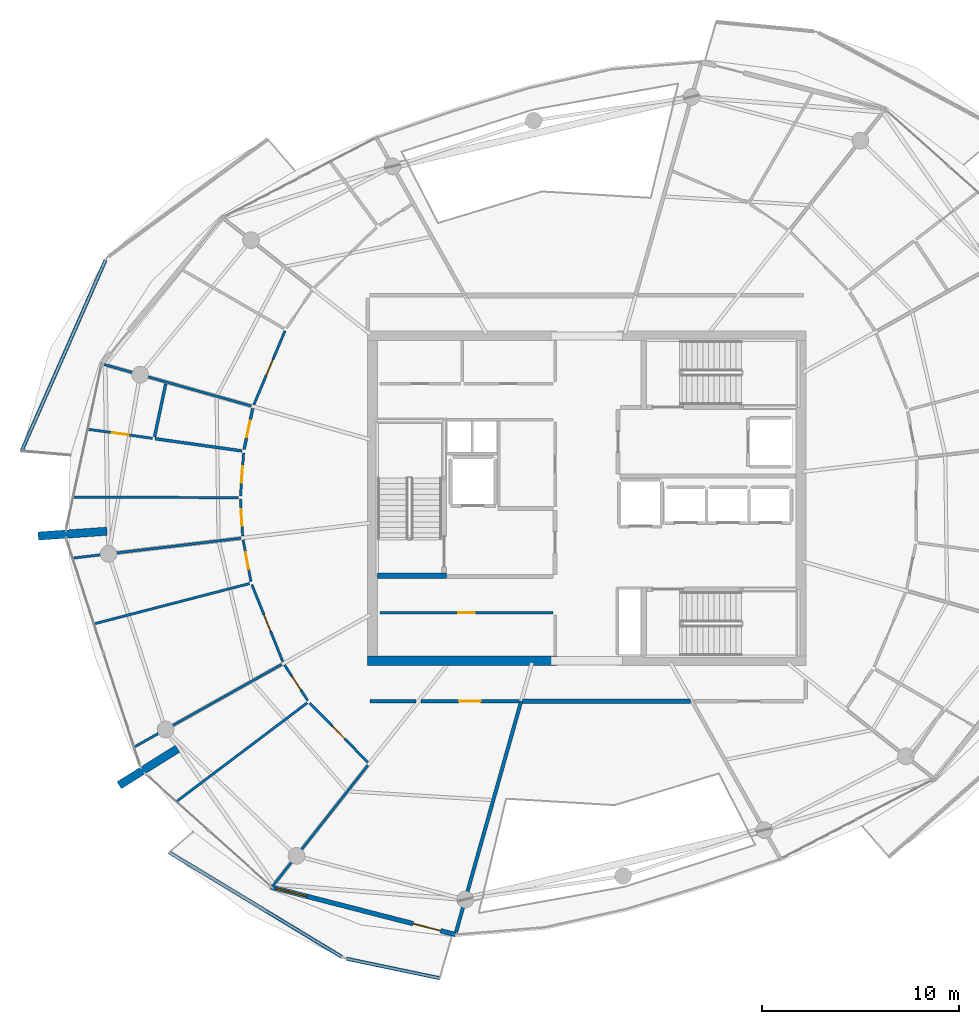
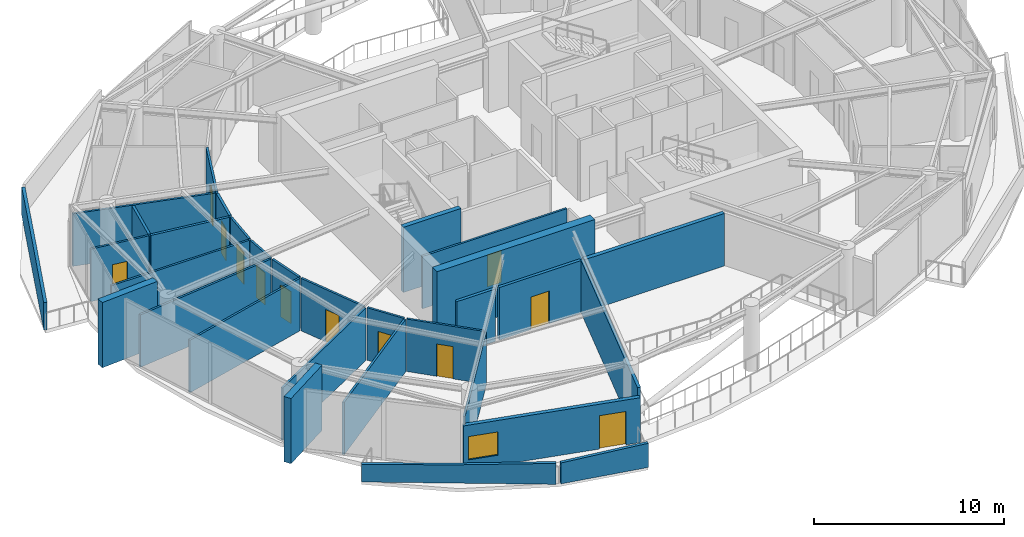
# One storey, part 13 of 22: 31 walls, 12 doors, 1 window, 13 openings.
"""IFC4 building model written with IfcOpenShell, lengths in metres."""

from ifc_helpers import new_model, si_unit, direction, frame, frame_2d, origin, place, context, subcontext, project, spatial, polyline, rectangle, outline, extrude, material, layer, layer_set, type_object, element, fill, save


model = new_model("IFC4")

# Units and contexts
model_context = context("Model", 3, precision=1e-05, world=origin(), true_north=direction((0.0, 1.0)))
body_context = subcontext(model_context, "Body", "Model", "MODEL_VIEW")
ifc_project = project(units=[si_unit("LENGTHUNIT", "METRE"), si_unit("AREAUNIT", "SQUARE_METRE"), si_unit("VOLUMEUNIT", "CUBIC_METRE"), si_unit("PLANEANGLEUNIT", "RADIAN"), si_unit("MASSUNIT", "GRAM", prefix="KILO")], contexts=[model_context])

# Site, building, storey
site_placement = place(None, origin())
site = spatial("IfcSite", under=ifc_project, at=site_placement, CompositionType="ELEMENT")
building_placement = place(site_placement, origin())
building = spatial("IfcBuilding", under=site, at=building_placement, Name="Kazma Halo Residences", CompositionType="ELEMENT")
storey_placement = place(building_placement, frame((0.0, 0.0, 326.300048828125)))
storey = spatial("IfcBuildingStorey", under=building, at=storey_placement, Name="L82", CompositionType="ELEMENT", Elevation=326.300048828125)

# Walls
ifc_material_1 = material(Name="White Concrete C50/60 Balustrade", Category="concrete")
ifc_layer_1 = layer(ifc_material_1, 0.179931640625)
ifc_layer_set_1 = layer_set([ifc_layer_1], Name="White Concrete C50/60 Balustrade")
wall_type_1 = type_object("IfcWallType", Name="WL-BAL-WAVE-180", PredefinedType="PARAPET", material=ifc_layer_set_1)
wall_1_placement = place(storey_placement, frame((23.989501953125, 54.099609375, 0.0), z_axis=(0.0, 0.0, 1.0), x_axis=(-0.402276040411, -0.915518425435, 0.0)))
element("IfcWall", 1, at=wall_1_placement, inside=storey, type_object=wall_type_1, Name="L82 white wave balustrade wall NW.2", PredefinedType="PARAPET", context=body_context, shape_type="SweptSolid", body=[
    extrude(outline(polyline([(0.0, 0.0), (10.595947265625, 0.0), (10.595703125, 1.755859375), (5.2978515625, 1.85302734375), (0.0, 1.83203125), (0.0, 0.0)])), frame((0.0, 0.08984375, 0.0), z_axis=(0.0, -1.0, 0.0), x_axis=(1.0, 0.0, 0.0)), (0.0, 0.0, 1.0), 0.179931640625),
])
wall_2_placement = place(storey_placement, frame((27.213134765625, 24.025634765625, 0.0), z_axis=(0.0, 0.0, 1.0), x_axis=(0.855326815189, -0.518088833327, 0.0)))
element("IfcWall", 2, at=wall_2_placement, inside=storey, type_object=wall_type_1, Name="L82 white wave balustrade wall SW.1", PredefinedType="PARAPET", context=body_context, shape_type="SweptSolid", body=[
    extrude(outline(polyline([(0.0, 0.0), (10.26904296875, 0.0), (10.26904296875, 1.347900390625), (5.134521484375, 1.181884765625), (0.0, 1.119873046875), (0.0, 0.0)])), frame((0.0, 0.08984375, 0.0), z_axis=(0.0, -1.0, 0.0), x_axis=(1.0, 0.0, 0.0)), (0.0, 0.0, 1.0), 0.179931640625),
])
wall_3_placement = place(storey_placement, frame((36.216552734375, 18.61865234375, 0.0), z_axis=(0.0, 0.0, 1.0), x_axis=(0.978880651662, -0.204432555632, 0.0)))
element("IfcWall", 3, at=wall_3_placement, inside=storey, type_object=wall_type_1, Name="L82 white wave balustrade wall SW.2", PredefinedType="PARAPET", context=body_context, shape_type="SweptSolid", body=[
    extrude(outline(polyline([(0.0, 0.0), (4.85107421875, 0.0), (4.85107421875, 1.555908203125), (0.0, 1.347900390625), (0.0, 0.0)])), frame((0.0, 0.08984375, 0.0), z_axis=(0.0, -1.0, 0.0), x_axis=(1.0, 0.0, 0.0)), (0.0, 0.0, 1.0), 0.179931640625),
])
ifc_material_2 = material(Name="Pale Concrete C60/75", Category="concrete")
ifc_layer_2 = layer(ifc_material_2, 0.419921875)
ifc_layer_set_2 = layer_set([ifc_layer_2], Name="Pale Concrete C60/75")
wall_type_2 = type_object("IfcWallType", Name="WL-BLADE-420", PredefinedType="SOLIDWALL", material=ifc_layer_set_2)
for number, where, z_axis, x_axis, name in (
    (4, (24.05908203125, 40.325927734375, 0.0), (0.0, 0.0, 1.0), (-0.997564163539, -0.069754853754, 0.0), "L82 pale concrete structural blade fin wall BW-02"),
    (5, (27.6474609375, 29.2822265625, 0.0), (0.0, 0.0, 1.0), (-0.848053161125, -0.529911158502, 0.0), "L82 pale concrete structural blade fin wall BW-03"),
):
    element("IfcWall", number, at=place(storey_placement, frame(where, z_axis=z_axis, x_axis=x_axis)), inside=storey, type_object=wall_type_2, Name=name, PredefinedType="SOLIDWALL", context=body_context, shape_type="SweptSolid", body=[
        extrude(rectangle(XDim=3.5, YDim=0.419921875, at=frame_2d((1.75, 0.0))), origin(), (0.0, 0.0, 1.0), 4.199951171875),
    ])
ifc_material_3 = material(Name="Concrete C60/75", Category="concrete")
ifc_layer_3 = layer(ifc_material_3, 0.5)
ifc_layer_set_3 = layer_set([ifc_layer_3], Name="Concrete C60/75")
wall_type_3 = type_object("IfcWallType", Name="WL-CORE-500", PredefinedType="SHEAR", material=ifc_layer_set_3)
wall_4_placement = place(storey_placement, frame((37.300048828125, 33.75, 0.0), z_axis=(0.0, 0.0, 1.0), x_axis=(1.0, 0.0, 0.0)))
element("IfcWall", 6, at=wall_4_placement, inside=storey, type_object=wall_type_3, Name="L82 central core shear wall SW", PredefinedType="SHEAR", context=body_context, shape_type="SweptSolid", body=[
    extrude(rectangle(XDim=9.599853515625, YDim=0.5, at=frame_2d((4.7998046875, 0.0))), origin(), (0.0, 0.0, 1.0), 4.199951171875),
])
ifc_layer_4 = layer(ifc_material_3, 0.280029296875)
ifc_layer_set_4 = layer_set([ifc_layer_4], Name="Concrete C60/75")
wall_type_4 = type_object("IfcWallType", Name="WL-CORE-ST-280", PredefinedType="SHEAR", material=ifc_layer_set_4)
wall_5_placement = place(storey_placement, frame((37.800048828125, 38.06005859375, 0.0), z_axis=(0.0, 0.0, 1.0), x_axis=(1.0, 0.0, 0.0)))
element("IfcWall", 7, at=wall_5_placement, inside=storey, type_object=wall_type_4, Name="L82 stairwell bearing wall ST01-S", PredefinedType="SHEAR", context=body_context, shape_type="SweptSolid", body=[
    extrude(rectangle(XDim=3.5, YDim=0.280029296875, at=frame_2d((1.75, 0.0))), origin(), (0.0, 0.0, 1.0), 4.199951171875),
])
ifc_material_4 = material(Name="Acoustic Twin-Stud Gypsum")
ifc_layer_5 = layer(ifc_material_4, 0.179931640625)
ifc_layer_set_5 = layer_set([ifc_layer_5], Name="Acoustic Twin-Stud Gypsum")
wall_type_5 = type_object("IfcWallType", Name="WL-DEM-180", PredefinedType="PARTITIONING", material=ifc_layer_set_5)
wall_6_placement = place(storey_placement, frame((45.09521484375, 31.699951171875, 0.0), z_axis=(0.0, 0.0, 1.0), x_axis=(-0.271453030279, -0.962451688321, 0.0)))
element("IfcWall", 8, at=wall_6_placement, inside=storey, type_object=wall_type_5, Name="L82 apartment demising radial wall 10", PredefinedType="PARTITIONING", context=body_context, shape_type="SweptSolid", body=[
    extrude(rectangle(XDim=12.191162109375, YDim=0.179931640625, at=frame_2d((6.095703125, 0.0))), origin(), (0.0, 0.0, 1.0), 3.3798828125),
])

# Wall, opening, door
wall_7_placement = place(storey_placement, frame((40.0, 31.699951171875, 0.0), z_axis=(0.0, 0.0, 1.0), x_axis=(1.0, 0.0, 0.0)))
wall_7 = element("IfcWall", 9, at=wall_7_placement, inside=storey, type_object=wall_type_5, Name="L82 Penthouse 1 entrance corridor wall", PredefinedType="PARTITIONING", context=body_context, shape_type="SweptSolid", body=[
    extrude(rectangle(XDim=4.97509765625, YDim=0.179931640625, at=frame_2d((2.487548828125, 0.0))), origin(), (0.0, 0.0, 1.0), 3.3798828125),
])
opening_1_placement = place(wall_7_placement, frame((1.9375, 0.0, 0.0)))
opening_1 = element("IfcOpeningElement", 10, at=opening_1_placement, cuts=wall_7, Name="Opening DA-1100", PredefinedType="OPENING", context=body_context, shape_type="SweptSolid", body=[
    extrude(rectangle(XDim=1.10009765625, YDim=2.10009765625, at=frame_2d((0.550048828125, 1.050048828125))), frame((0.0, 0.099853515625, 0.0), z_axis=(0.0, -1.0, 0.0), x_axis=(1.0, 0.0, 0.0)), (0.0, 0.0, 1.0), 0.199951171875),
])
ifc_material_5 = material(Name="Acoustic Walnut Fire Leaf")
door_type_1 = type_object("IfcDoorType", Name="DR-FD60-1100", OperationType="NOTDEFINED", PredefinedType="DOOR", material=ifc_material_5)
door_1_placement = place(opening_1_placement, origin())
door_1 = element("IfcDoor", 11, at=door_1_placement, inside=storey, type_object=door_type_1, Name="L82 Penthouse 1 entrance fire door", OperationType="SINGLE_SWING_RIGHT", OverallHeight=2.10009765625, OverallWidth=1.10009765625, PredefinedType="DOOR", context=body_context, shape_type="SweptSolid", body=[
    extrude(rectangle(XDim=1.10009765625, YDim=2.10009765625, at=frame_2d((0.550048828125, 1.050048828125))), frame((0.0, 0.02490234375, 0.0), z_axis=(0.0, -1.0, 0.0), x_axis=(1.0, 0.0, 0.0)), (0.0, 0.0, 1.0), 0.050048828125),
])
fill(opening_1, door_1)

# Wall
wall_8_placement = place(storey_placement, frame((37.419921875, 31.699951171875, 0.0), z_axis=(0.0, 0.0, 1.0), x_axis=(1.0, 0.0, 0.0)))
element("IfcWall", 12, at=wall_8_placement, inside=storey, type_object=wall_type_5, Name="L82 Penthouse 1 inner wall 8", PredefinedType="PARTITIONING", context=body_context, shape_type="SweptSolid", body=[
    extrude(rectangle(XDim=2.340087890625, YDim=0.179931640625, at=frame_2d((1.169921875, 0.0))), origin(), (0.0, 0.0, 1.0), 3.3798828125),
])

# Wall, openings, door, window
ifc_material_6 = material(Name="Insulated Pale-Metal Composite Wall")
ifc_layer_6 = layer(ifc_material_6, 0.239990234375)
ifc_layer_set_6 = layer_set([ifc_layer_6], Name="Insulated Pale-Metal Composite Wall")
wall_type_6 = type_object("IfcWallType", Name="WL-EXT-HOST-240", PredefinedType="SOLIDWALL", material=ifc_layer_set_6)
wall_9_placement = place(storey_placement, frame((32.380126953125, 22.26025390625, 0.0), z_axis=(0.0, 0.0, 1.0), x_axis=(0.968389062354, -0.249444630957, 0.0)))
wall_9 = element("IfcWall", 13, at=wall_9_placement, inside=storey, type_object=wall_type_6, Name="L82 exterior terrace-access wall B10", PredefinedType="SOLIDWALL", context=body_context, shape_type="SweptSolid", body=[
    extrude(rectangle(XDim=9.677734375, YDim=0.239990234375, at=frame_2d((4.8388671875, 0.0))), origin(), (0.0, 0.0, 1.0), 2.889892578125),
])
opening_2_placement = place(wall_9_placement, frame((7.457763671875, 0.0, 0.0)))
opening_2 = element("IfcOpeningElement", 14, at=opening_2_placement, cuts=wall_9, Name="Opening DTR-1600", PredefinedType="OPENING", context=body_context, shape_type="SweptSolid", body=[
    extrude(rectangle(XDim=1.449951171875, YDim=2.14990234375, at=frame_2d((0.72509765625, 1.074951171875))), frame((0.0, 0.1298828125, 0.0), z_axis=(0.0, -1.0, 0.0), x_axis=(1.0, 0.0, 0.0)), (0.0, 0.0, 1.0), 0.260009765625),
])
opening_3_placement = place(wall_9_placement, frame((0.280029296875, 0.0, 0.64990234375)))
opening_3 = element("IfcOpeningElement", 15, at=opening_3_placement, cuts=wall_9, Name="Opening W-1800", PredefinedType="OPENING", context=body_context, shape_type="SweptSolid", body=[
    extrude(rectangle(XDim=1.60009765625, YDim=1.5, at=frame_2d((0.800048828125, 0.75))), frame((0.0, 0.1298828125, 0.0), z_axis=(0.0, -1.0, 0.0), x_axis=(1.0, 0.0, 0.0)), (0.0, 0.0, 1.0), 0.260009765625),
])
ifc_material_7 = material(Name="Aluminium AW-6063 T6 Double-Glazed Terrace Door", Category="aluminium")
door_type_2 = type_object("IfcDoorType", Name="DR-EXT-TERR-1600", OperationType="NOTDEFINED", PredefinedType="DOOR", material=ifc_material_7)
door_2_placement = place(opening_2_placement, origin())
door_2 = element("IfcDoor", 16, at=door_2_placement, inside=storey, type_object=door_type_2, Name="L82 B10 balcony terrace door", OperationType="DOUBLE_DOOR_SLIDING", OverallHeight=2.14990234375, OverallWidth=1.449951171875, PredefinedType="DOOR", context=body_context, shape_type="SweptSolid", body=[
    extrude(rectangle(XDim=1.449951171875, YDim=2.14990234375, at=frame_2d((0.72509765625, 1.074951171875))), frame((0.0, 0.02490234375, 0.0), z_axis=(0.0, -1.0, 0.0), x_axis=(1.0, 0.0, 0.0)), (0.0, 0.0, 1.0), 0.050048828125),
])
fill(opening_2, door_2)
ifc_material_8 = material(Name="Clear Triple-Silver Low-E Glass in Aluminium AW-6063 T6 Frame", Category="aluminium")
window_type = type_object("IfcWindowType", Name="WIN-RES-1800", PartitioningType="DOUBLE_PANEL_VERTICAL", PredefinedType="WINDOW", material=ifc_material_8)
window_placement = place(opening_3_placement, origin())
window = element("IfcWindow", 17, at=window_placement, inside=storey, type_object=window_type, Name="L82 B10 apartment window", OverallHeight=1.5, OverallWidth=1.60009765625, PartitioningType="SINGLE_PANEL", PredefinedType="WINDOW", context=body_context, shape_type="SweptSolid", body=[
    extrude(rectangle(XDim=1.60009765625, YDim=1.5, at=frame_2d((0.800048828125, 0.75))), frame((0.0, 0.030029296875, 0.0), z_axis=(0.0, -1.0, 0.0), x_axis=(1.0, 0.0, 0.0)), (0.0, 0.0, 1.0), 0.06005859375),
])
fill(opening_3, window)

# Wall
wall_10_placement = place(storey_placement, frame((45.1650390625, 31.699951171875, 0.0), z_axis=(0.0, 0.0, 1.0), x_axis=(1.0, 0.0, 0.0)))
element("IfcWall", 18, at=wall_10_placement, inside=storey, type_object=wall_type_6, Name="L82 wind-portal core closure wall", PredefinedType="SOLIDWALL", context=body_context, shape_type="SweptSolid", body=[
    extrude(rectangle(XDim=8.533203125, YDim=0.239990234375, at=frame_2d((4.2666015625, 0.0))), origin(), (0.0, 0.0, 1.0), 3.3798828125),
])

# Wall, opening, door
ifc_material_9 = material(Name="Gypsum Plasterboard Partition")
ifc_layer_7 = layer(ifc_material_9, 0.125)
ifc_layer_set_7 = layer_set([ifc_layer_7], Name="Gypsum Plasterboard Partition")
wall_type_7 = type_object("IfcWallType", Name="WL-PART-125", PredefinedType="PARTITIONING", material=ifc_layer_set_7)
wall_11_placement = place(storey_placement, frame((37.919921875, 36.179931640625, 0.0), z_axis=(0.0, 0.0, 1.0), x_axis=(1.0, 0.0, 0.0)))
wall_11 = element("IfcWall", 19, at=wall_11_placement, inside=storey, type_object=wall_type_7, Name="L82 reclaimed south front wall", PredefinedType="PARTITIONING", context=body_context, shape_type="SweptSolid", body=[
    extrude(rectangle(XDim=8.800048828125, YDim=0.125, at=frame_2d((4.39990234375, 0.0))), origin(), (0.0, 0.0, 1.0), 3.3798828125),
])
opening_4_placement = place(wall_11_placement, frame((3.97509765625, 0.0, 0.0)))
opening_4 = element("IfcOpeningElement", 20, at=opening_4_placement, cuts=wall_11, Name="Opening DS-850", PredefinedType="OPENING", context=body_context, shape_type="SweptSolid", body=[
    extrude(rectangle(XDim=0.85009765625, YDim=2.06005859375, at=frame_2d((0.425048828125, 1.030029296875))), frame((0.0, 0.072509765625, 0.0), z_axis=(0.0, -1.0, 0.0), x_axis=(1.0, 0.0, 0.0)), (0.0, 0.0, 1.0), 0.14501953125),
])
ifc_material_10 = material(Name="Painted Steel Access Leaf", Category="steel")
door_type_3 = type_object("IfcDoorType", Name="DR-SVC-850", OperationType="NOTDEFINED", PredefinedType="DOOR", material=ifc_material_10)
door_3_placement = place(opening_4_placement, origin())
door_3 = element("IfcDoor", 21, at=door_3_placement, inside=storey, type_object=door_type_3, Name="L82 reclaimed south service door", OperationType="SINGLE_SWING_LEFT", OverallHeight=2.06005859375, OverallWidth=0.85009765625, PredefinedType="DOOR", context=body_context, shape_type="SweptSolid", body=[
    extrude(rectangle(XDim=0.85009765625, YDim=2.06005859375, at=frame_2d((0.425048828125, 1.030029296875))), frame((0.0, 0.02490234375, 0.0), z_axis=(0.0, -1.0, 0.0), x_axis=(1.0, 0.0, 0.0)), (0.0, 0.0, 1.0), 0.050048828125),
])
fill(opening_4, door_3)

wall_12_placement = place(storey_placement, frame((33.100830078125, 50.5, 0.0), z_axis=(0.0, 0.0, 1.0), x_axis=(-0.388459336045, -0.921465867105, 0.0)))
wall_12 = element("IfcWall", 22, at=wall_12_placement, inside=storey, type_object=wall_type_7, Name="L82 Penthouse 1 Secondary Formal Dining Room hall wall", PredefinedType="PARTITIONING", context=body_context, shape_type="SweptSolid", body=[
    extrude(rectangle(XDim=4.06884765625, YDim=0.125, at=frame_2d((2.034423828125, 0.0))), origin(), (0.0, 0.0, 1.0), 3.3798828125),
])
opening_5_placement = place(wall_12_placement, frame((1.58447265625, 0.0, 0.0)))
opening_5 = element("IfcOpeningElement", 23, at=opening_5_placement, cuts=wall_12, Name="Opening DI-950", PredefinedType="OPENING", context=body_context, shape_type="SweptSolid", body=[
    extrude(rectangle(XDim=0.89990234375, YDim=2.080078125, at=frame_2d((0.449951171875, 1.0400390625))), frame((0.0, 0.072509765625, 0.0), z_axis=(0.0, -1.0, 0.0), x_axis=(1.0, 0.0, 0.0)), (0.0, 0.0, 1.0), 0.14501953125),
])
ifc_material_11 = material(Name="Timber Veneer Flush Leaf", Category="wood")
door_type_4 = type_object("IfcDoorType", Name="DR-INT-950", OperationType="NOTDEFINED", PredefinedType="DOOR", material=ifc_material_11)
door_4_placement = place(opening_5_placement, origin())
door_4 = element("IfcDoor", 24, at=door_4_placement, inside=storey, type_object=door_type_4, Name="L82 Penthouse 1 Secondary Formal Dining Room door", OperationType="SINGLE_SWING_LEFT", OverallHeight=2.080078125, OverallWidth=0.89990234375, PredefinedType="DOOR", context=body_context, shape_type="SweptSolid", body=[
    extrude(rectangle(XDim=0.89990234375, YDim=2.080078125, at=frame_2d((0.449951171875, 1.0400390625))), frame((0.0, 0.02490234375, 0.0), z_axis=(0.0, -1.0, 0.0), x_axis=(1.0, 0.0, 0.0)), (0.0, 0.0, 1.0), 0.050048828125),
])
fill(opening_5, door_4)

# Wall
wall_13_placement = place(storey_placement, frame((31.38525390625, 46.685791015625, 0.0), z_axis=(0.0, 0.0, 1.0), x_axis=(-0.962455784847, 0.271438505401, 0.0)))
element("IfcWall", 25, at=wall_13_placement, inside=storey, type_object=wall_type_7, Name="L82 Penthouse 1 radial partition 6", PredefinedType="PARTITIONING", context=body_context, shape_type="SweptSolid", body=[
    extrude(rectangle(XDim=7.763916015625, YDim=0.125, at=frame_2d((3.8818359375, 0.0))), origin(), (0.0, 0.0, 1.0), 3.3798828125),
])

# Wall, opening, door
wall_14_placement = place(storey_placement, frame((26.3701171875, 45.043701171875, 0.0), z_axis=(0.0, 0.0, 1.0), x_axis=(-0.990243492516, 0.139347858002, 0.0)))
wall_14 = element("IfcWall", 26, at=wall_14_placement, inside=storey, type_object=wall_type_7, Name="L82 Penthouse 1 West Walk-In Wardrobe partition wall", PredefinedType="PARTITIONING", context=body_context, shape_type="SweptSolid", body=[
    extrude(rectangle(XDim=3.29736328125, YDim=0.125, at=frame_2d((1.648681640625, 0.0))), origin(), (0.0, 0.0, 1.0), 3.3798828125),
])
opening_6_placement = place(wall_14_placement, frame((1.2236328125, 0.0, 0.0)))
opening_6 = element("IfcOpeningElement", 27, at=opening_6_placement, cuts=wall_14, Name="Opening DB-900", PredefinedType="OPENING", context=body_context, shape_type="SweptSolid", body=[
    extrude(rectangle(XDim=0.85009765625, YDim=2.06005859375, at=frame_2d((0.425048828125, 1.030029296875))), frame((0.0, 0.072509765625, 0.0), z_axis=(0.0, -1.0, 0.0), x_axis=(1.0, 0.0, 0.0)), (0.0, 0.0, 1.0), 0.14501953125),
])
ifc_material_12 = material(Name="Moisture-Sealed Timber Leaf", Category="wood")
door_type_5 = type_object("IfcDoorType", Name="DR-BTH-900", OperationType="NOTDEFINED", PredefinedType="DOOR", material=ifc_material_12)
door_5_placement = place(opening_6_placement, origin())
door_5 = element("IfcDoor", 28, at=door_5_placement, inside=storey, type_object=door_type_5, Name="L82 Penthouse 1 West Walk-In Wardrobe door", OperationType="SINGLE_SWING_RIGHT", OverallHeight=2.06005859375, OverallWidth=0.85009765625, PredefinedType="DOOR", context=body_context, shape_type="SweptSolid", body=[
    extrude(rectangle(XDim=0.85009765625, YDim=2.06005859375, at=frame_2d((0.425048828125, 1.030029296875))), frame((0.0, 0.02490234375, 0.0), z_axis=(0.0, -1.0, 0.0), x_axis=(1.0, 0.0, 0.0)), (0.0, 0.0, 1.0), 0.050048828125),
])
fill(opening_6, door_5)

# Wall
wall_15_placement = place(storey_placement, frame((30.7470703125, 42.0341796875, 0.0), z_axis=(0.0, 0.0, 1.0), x_axis=(-0.999998039071, 0.001980367145, 0.0)))
element("IfcWall", 29, at=wall_15_placement, inside=storey, type_object=wall_type_7, Name="L82 Penthouse 1 suite divider 6", PredefinedType="PARTITIONING", context=body_context, shape_type="SweptSolid", body=[
    extrude(rectangle(XDim=8.383056640625, YDim=0.125, at=frame_2d((4.19140625, 0.0))), origin(), (0.0, 0.0, 1.0), 3.3798828125),
])

# Wall, opening, door
wall_16_placement = place(storey_placement, frame((30.998046875, 44.3017578125, 0.0), z_axis=(0.0, 0.0, 1.0), x_axis=(-0.070788273512, -0.997491363538, 0.0)))
wall_16 = element("IfcWall", 30, at=wall_16_placement, inside=storey, type_object=wall_type_7, Name="L82 Penthouse 1 North Private Study hall wall", PredefinedType="PARTITIONING", context=body_context, shape_type="SweptSolid", body=[
    extrude(rectangle(XDim=2.193603515625, YDim=0.125, at=frame_2d((1.0966796875, 0.0))), origin(), (0.0, 0.0, 1.0), 3.3798828125),
])
opening_7_placement = place(wall_16_placement, frame((0.671875, 0.0, 0.0)))
opening_7 = element("IfcOpeningElement", 31, at=opening_7_placement, cuts=wall_16, Name="Opening DB-900", PredefinedType="OPENING", context=body_context, shape_type="SweptSolid", body=[
    extrude(rectangle(XDim=0.85009765625, YDim=2.06005859375, at=frame_2d((0.425048828125, 1.030029296875))), frame((0.0, 0.072509765625, 0.0), z_axis=(0.0, -1.0, 0.0), x_axis=(1.0, 0.0, 0.0)), (0.0, 0.0, 1.0), 0.14501953125),
])
door_6_placement = place(opening_7_placement, origin())
door_6 = element("IfcDoor", 32, at=door_6_placement, inside=storey, type_object=door_type_5, Name="L82 Penthouse 1 North Private Study door", OperationType="SINGLE_SWING_LEFT", OverallHeight=2.06005859375, OverallWidth=0.85009765625, PredefinedType="DOOR", context=body_context, shape_type="SweptSolid", body=[
    extrude(rectangle(XDim=0.85009765625, YDim=2.06005859375, at=frame_2d((0.425048828125, 1.030029296875))), frame((0.0, 0.02490234375, 0.0), z_axis=(0.0, -1.0, 0.0), x_axis=(1.0, 0.0, 0.0)), (0.0, 0.0, 1.0), 0.050048828125),
])
fill(opening_7, door_6)

wall_17_placement = place(storey_placement, frame((30.841552734375, 41.9541015625, 0.0), z_axis=(0.0, 0.0, 1.0), x_axis=(0.057950971365, -0.998319430302, 0.0)))
wall_17 = element("IfcWall", 33, at=wall_17_placement, inside=storey, type_object=wall_type_7, Name="L82 Penthouse 1 South Master Bedroom hall wall", PredefinedType="PARTITIONING", context=body_context, shape_type="SweptSolid", body=[
    extrude(rectangle(XDim=1.874755859375, YDim=0.125, at=frame_2d((0.9375, 0.0))), origin(), (0.0, 0.0, 1.0), 3.3798828125),
])
opening_8_placement = place(wall_17_placement, frame((0.512451171875, 0.0, 0.0)))
opening_8 = element("IfcOpeningElement", 34, at=opening_8_placement, cuts=wall_17, Name="Opening DB-900", PredefinedType="OPENING", context=body_context, shape_type="SweptSolid", body=[
    extrude(rectangle(XDim=0.85009765625, YDim=2.06005859375, at=frame_2d((0.425048828125, 1.030029296875))), frame((0.0, 0.072509765625, 0.0), z_axis=(0.0, -1.0, 0.0), x_axis=(1.0, 0.0, 0.0)), (0.0, 0.0, 1.0), 0.14501953125),
])
door_7_placement = place(opening_8_placement, origin())
door_7 = element("IfcDoor", 35, at=door_7_placement, inside=storey, type_object=door_type_5, Name="L82 Penthouse 1 South Master Bedroom door", OperationType="SINGLE_SWING_RIGHT", OverallHeight=2.06005859375, OverallWidth=0.85009765625, PredefinedType="DOOR", context=body_context, shape_type="SweptSolid", body=[
    extrude(rectangle(XDim=0.85009765625, YDim=2.06005859375, at=frame_2d((0.425048828125, 1.030029296875))), frame((0.0, 0.02490234375, 0.0), z_axis=(0.0, -1.0, 0.0), x_axis=(1.0, 0.0, 0.0)), (0.0, 0.0, 1.0), 0.050048828125),
])
fill(opening_8, door_7)

# Walls
wall_18_placement = place(storey_placement, frame((30.856689453125, 39.970947265625, 0.0), z_axis=(0.0, 0.0, 1.0), x_axis=(-0.993069304007, -0.117530240533, 0.0)))
element("IfcWall", 36, at=wall_18_placement, inside=storey, type_object=wall_type_7, Name="L82 Penthouse 1 radial partition 7", PredefinedType="PARTITIONING", context=body_context, shape_type="SweptSolid", body=[
    extrude(rectangle(XDim=8.57275390625, YDim=0.125, at=frame_2d((4.286376953125, 0.0))), origin(), (0.0, 0.0, 1.0), 3.3798828125),
])
wall_19_placement = place(storey_placement, frame((31.29931640625, 37.669921875, 0.0), z_axis=(0.0, 0.0, 1.0), x_axis=(-0.967993656755, -0.250974661037, 0.0)))
element("IfcWall", 37, at=wall_19_placement, inside=storey, type_object=wall_type_7, Name="L82 Penthouse 1 mid-bay wall 7", PredefinedType="PARTITIONING", context=body_context, shape_type="SweptSolid", body=[
    extrude(rectangle(XDim=8.13232421875, YDim=0.125, at=frame_2d((4.066162109375, 0.0))), origin(), (0.0, 0.0, 1.0), 3.3798828125),
])

# Wall, opening, door
wall_20_placement = place(storey_placement, frame((30.974609375, 39.884521484375, 0.0), z_axis=(0.0, 0.0, 1.0), x_axis=(0.184617579239, -0.982810434131, 0.0)))
wall_20 = element("IfcWall", 38, at=wall_20_placement, inside=storey, type_object=wall_type_7, Name="L82 Penthouse 1 Inner Dressing Wardrobe hall wall", PredefinedType="PARTITIONING", context=body_context, shape_type="SweptSolid", body=[
    extrude(rectangle(XDim=2.150146484375, YDim=0.125, at=frame_2d((1.0751953125, 0.0))), origin(), (0.0, 0.0, 1.0), 3.3798828125),
])
opening_9_placement = place(wall_20_placement, frame((0.650146484375, 0.0, 0.0)))
opening_9 = element("IfcOpeningElement", 39, at=opening_9_placement, cuts=wall_20, Name="Opening DB-900", PredefinedType="OPENING", context=body_context, shape_type="SweptSolid", body=[
    extrude(rectangle(XDim=0.85009765625, YDim=2.06005859375, at=frame_2d((0.425048828125, 1.030029296875))), frame((0.0, 0.072509765625, 0.0), z_axis=(0.0, -1.0, 0.0), x_axis=(1.0, 0.0, 0.0)), (0.0, 0.0, 1.0), 0.14501953125),
])
door_8_placement = place(opening_9_placement, origin())
door_8 = element("IfcDoor", 40, at=door_8_placement, inside=storey, type_object=door_type_5, Name="L82 Penthouse 1 Inner Dressing Wardrobe door", OperationType="SINGLE_SWING_RIGHT", OverallHeight=2.06005859375, OverallWidth=0.85009765625, PredefinedType="DOOR", context=body_context, shape_type="SweptSolid", body=[
    extrude(rectangle(XDim=0.85009765625, YDim=2.06005859375, at=frame_2d((0.425048828125, 1.030029296875))), frame((0.0, 0.02490234375, 0.0), z_axis=(0.0, -1.0, 0.0), x_axis=(1.0, 0.0, 0.0)), (0.0, 0.0, 1.0), 0.050048828125),
])
fill(opening_9, door_8)

wall_21_placement = place(storey_placement, frame((31.416015625, 37.618408203125, 0.0), z_axis=(0.0, 0.0, 1.0), x_axis=(0.37287786912, -0.927880431263, 0.0)))
wall_21 = element("IfcWall", 41, at=wall_21_placement, inside=storey, type_object=wall_type_7, Name="L82 Penthouse 1 Outer Master Bedroom hall wall", PredefinedType="PARTITIONING", context=body_context, shape_type="SweptSolid", body=[
    extrude(rectangle(XDim=4.2158203125, YDim=0.125, at=frame_2d((2.10791015625, 0.0))), origin(), (0.0, 0.0, 1.0), 3.3798828125),
])
opening_10_placement = place(wall_21_placement, frame((1.657958984375, 0.0, 0.0)))
opening_10 = element("IfcOpeningElement", 42, at=opening_10_placement, cuts=wall_21, Name="Opening DI-950", PredefinedType="OPENING", context=body_context, shape_type="SweptSolid", body=[
    extrude(rectangle(XDim=0.89990234375, YDim=2.080078125, at=frame_2d((0.449951171875, 1.0400390625))), frame((0.0, 0.072509765625, 0.0), z_axis=(0.0, -1.0, 0.0), x_axis=(1.0, 0.0, 0.0)), (0.0, 0.0, 1.0), 0.14501953125),
])
door_9_placement = place(opening_10_placement, origin())
door_9 = element("IfcDoor", 43, at=door_9_placement, inside=storey, type_object=door_type_4, Name="L82 Penthouse 1 Outer Master Bedroom door", OperationType="SINGLE_SWING_LEFT", OverallHeight=2.080078125, OverallWidth=0.89990234375, PredefinedType="DOOR", context=body_context, shape_type="SweptSolid", body=[
    extrude(rectangle(XDim=0.89990234375, YDim=2.080078125, at=frame_2d((0.449951171875, 1.0400390625))), frame((0.0, 0.02490234375, 0.0), z_axis=(0.0, -1.0, 0.0), x_axis=(1.0, 0.0, 0.0)), (0.0, 0.0, 1.0), 0.050048828125),
])
fill(opening_10, door_9)

# Walls
wall_22_placement = place(storey_placement, frame((32.938232421875, 33.56494140625, 0.0), z_axis=(0.0, 0.0, 1.0), x_axis=(-0.87250261652, -0.488609439293, 0.0)))
element("IfcWall", 44, at=wall_22_placement, inside=storey, type_object=wall_type_7, Name="L82 Penthouse 1 radial partition 8", PredefinedType="PARTITIONING", context=body_context, shape_type="SweptSolid", body=[
    extrude(rectangle(XDim=8.57275390625, YDim=0.125, at=frame_2d((4.286376953125, 0.0))), origin(), (0.0, 0.0, 1.0), 3.3798828125),
])
wall_23_placement = place(storey_placement, frame((37.3125, 28.443115234375, 0.0), z_axis=(0.0, 0.0, 1.0), x_axis=(-0.619079427556, -0.78532837869, 0.0)))
element("IfcWall", 45, at=wall_23_placement, inside=storey, type_object=wall_type_7, Name="L82 Penthouse 1 living radial partition 8", PredefinedType="PARTITIONING", context=body_context, shape_type="SweptSolid", body=[
    extrude(rectangle(XDim=7.864013671875, YDim=0.125, at=frame_2d((3.93212890625, 0.0))), origin(), (0.0, 0.0, 1.0), 3.3798828125),
])
wall_24_placement = place(storey_placement, frame((34.2275390625, 31.6083984375, 0.0), z_axis=(0.0, 0.0, 1.0), x_axis=(-0.798277484709, -0.602289845014, 0.0)))
element("IfcWall", 46, at=wall_24_placement, inside=storey, type_object=wall_type_7, Name="L82 Penthouse 1 mid-bay wall 8", PredefinedType="PARTITIONING", context=body_context, shape_type="SweptSolid", body=[
    extrude(rectangle(XDim=8.298828125, YDim=0.125, at=frame_2d((4.1494140625, 0.0))), origin(), (0.0, 0.0, 1.0), 3.3798828125),
])

# Wall, opening, door
wall_25_placement = place(storey_placement, frame((33.080078125, 33.530029296875, 0.0), z_axis=(0.0, 0.0, 1.0), x_axis=(0.546735291737, -0.837305512205, 0.0)))
wall_25 = element("IfcWall", 47, at=wall_25_placement, inside=storey, type_object=wall_type_7, Name="L82 Penthouse 1 Corner Dressing Wardrobe hall wall", PredefinedType="PARTITIONING", context=body_context, shape_type="SweptSolid", body=[
    extrude(rectangle(XDim=2.150146484375, YDim=0.125, at=frame_2d((1.0751953125, 0.0))), origin(), (0.0, 0.0, 1.0), 3.3798828125),
])
opening_11_placement = place(wall_25_placement, frame((0.650146484375, 0.0, 0.0)))
opening_11 = element("IfcOpeningElement", 48, at=opening_11_placement, cuts=wall_25, Name="Opening DB-900", PredefinedType="OPENING", context=body_context, shape_type="SweptSolid", body=[
    extrude(rectangle(XDim=0.85009765625, YDim=2.06005859375, at=frame_2d((0.425048828125, 1.030029296875))), frame((0.0, 0.072509765625, 0.0), z_axis=(0.0, -1.0, 0.0), x_axis=(1.0, 0.0, 0.0)), (0.0, 0.0, 1.0), 0.14501953125),
])
door_10_placement = place(opening_11_placement, origin())
door_10 = element("IfcDoor", 49, at=door_10_placement, inside=storey, type_object=door_type_5, Name="L82 Penthouse 1 Corner Dressing Wardrobe door", OperationType="SINGLE_SWING_LEFT", OverallHeight=2.06005859375, OverallWidth=0.85009765625, PredefinedType="DOOR", context=body_context, shape_type="SweptSolid", body=[
    extrude(rectangle(XDim=0.85009765625, YDim=2.06005859375, at=frame_2d((0.425048828125, 1.030029296875))), frame((0.0, 0.02490234375, 0.0), z_axis=(0.0, -1.0, 0.0), x_axis=(1.0, 0.0, 0.0)), (0.0, 0.0, 1.0), 0.050048828125),
])
fill(opening_11, door_10)

wall_26_placement = place(storey_placement, frame((34.355224609375, 31.60546875, 0.0), z_axis=(0.0, 0.0, 1.0), x_axis=(0.699567507915, -0.714566513258, 0.0)))
wall_26 = element("IfcWall", 50, at=wall_26_placement, inside=storey, type_object=wall_type_7, Name="L82 Penthouse 1 Garden Master Bedroom hall wall", PredefinedType="PARTITIONING", context=body_context, shape_type="SweptSolid", body=[
    extrude(rectangle(XDim=4.2158203125, YDim=0.125, at=frame_2d((2.10791015625, 0.0))), origin(), (0.0, 0.0, 1.0), 3.3798828125),
])
opening_12_placement = place(wall_26_placement, frame((1.657958984375, 0.0, 0.0)))
opening_12 = element("IfcOpeningElement", 51, at=opening_12_placement, cuts=wall_26, Name="Opening DI-950", PredefinedType="OPENING", context=body_context, shape_type="SweptSolid", body=[
    extrude(rectangle(XDim=0.89990234375, YDim=2.080078125, at=frame_2d((0.449951171875, 1.0400390625))), frame((0.0, 0.072509765625, 0.0), z_axis=(0.0, -1.0, 0.0), x_axis=(1.0, 0.0, 0.0)), (0.0, 0.0, 1.0), 0.14501953125),
])
door_11_placement = place(opening_12_placement, origin())
door_11 = element("IfcDoor", 52, at=door_11_placement, inside=storey, type_object=door_type_4, Name="L82 Penthouse 1 Garden Master Bedroom door", OperationType="SINGLE_SWING_RIGHT", OverallHeight=2.080078125, OverallWidth=0.89990234375, PredefinedType="DOOR", context=body_context, shape_type="SweptSolid", body=[
    extrude(rectangle(XDim=0.89990234375, YDim=2.080078125, at=frame_2d((0.449951171875, 1.0400390625))), frame((0.0, 0.02490234375, 0.0), z_axis=(0.0, -1.0, 0.0), x_axis=(1.0, 0.0, 0.0)), (0.0, 0.0, 1.0), 0.050048828125),
])
fill(opening_12, door_11)

ifc_material_13 = material(Name="Moisture-Resistant Gypsum")
ifc_layer_8 = layer(ifc_material_13, 0.14990234375)
ifc_layer_set_8 = layer_set([ifc_layer_8], Name="Moisture-Resistant Gypsum")
wall_type_8 = type_object("IfcWallType", Name="WL-WET-150", PredefinedType="PARTITIONING", material=ifc_layer_set_8)
wall_27_placement = place(storey_placement, frame((31.460693359375, 46.560791015625, 0.0), z_axis=(0.0, 0.0, 1.0), x_axis=(-0.20584268828, -0.978585094758, 0.0)))
wall_27 = element("IfcWall", 53, at=wall_27_placement, inside=storey, type_object=wall_type_8, Name="L82 Penthouse 1 East En-Suite Bathroom hall wall", PredefinedType="PARTITIONING", context=body_context, shape_type="SweptSolid", body=[
    extrude(rectangle(XDim=2.126708984375, YDim=0.14990234375, at=frame_2d((1.0634765625, 0.0))), origin(), (0.0, 0.0, 1.0), 3.3798828125),
])
opening_13_placement = place(wall_27_placement, frame((0.63818359375, 0.0, 0.0)))
opening_13 = element("IfcOpeningElement", 54, at=opening_13_placement, cuts=wall_27, Name="Opening DB-900", PredefinedType="OPENING", context=body_context, shape_type="SweptSolid", body=[
    extrude(rectangle(XDim=0.85009765625, YDim=2.06005859375, at=frame_2d((0.425048828125, 1.030029296875))), frame((0.0, 0.0849609375, 0.0), z_axis=(0.0, -1.0, 0.0), x_axis=(1.0, 0.0, 0.0)), (0.0, 0.0, 1.0), 0.169921875),
])
door_12_placement = place(opening_13_placement, origin())
door_12 = element("IfcDoor", 55, at=door_12_placement, inside=storey, type_object=door_type_5, Name="L82 Penthouse 1 East En-Suite Bathroom door", OperationType="SINGLE_SWING_LEFT", OverallHeight=2.06005859375, OverallWidth=0.85009765625, PredefinedType="DOOR", context=body_context, shape_type="SweptSolid", body=[
    extrude(rectangle(XDim=0.85009765625, YDim=2.06005859375, at=frame_2d((0.425048828125, 1.030029296875))), frame((0.0, 0.02490234375, 0.0), z_axis=(0.0, -1.0, 0.0), x_axis=(1.0, 0.0, 0.0)), (0.0, 0.0, 1.0), 0.050048828125),
])
fill(opening_13, door_12)

# Walls
wall_28_placement = place(storey_placement, frame((27.043212890625, 47.806640625, 0.0), z_axis=(0.0, 0.0, 1.0), x_axis=(-0.205902945386, -0.978572417903, 0.0)))
element("IfcWall", 56, at=wall_28_placement, inside=storey, type_object=wall_type_8, Name="L82 Penthouse 1 East En-Suite Bathroom back wall", PredefinedType="PARTITIONING", context=body_context, shape_type="SweptSolid", body=[
    extrude(rectangle(XDim=2.74609375, YDim=0.14990234375, at=frame_2d((1.373046875, 0.0))), origin(), (0.0, 0.0, 1.0), 3.3798828125),
])
wall_29_placement = place(storey_placement, frame((30.915283203125, 44.404052734375, 0.0), z_axis=(0.0, 0.0, 1.0), x_axis=(-0.990240767804, 0.139367219172, 0.0)))
element("IfcWall", 57, at=wall_29_placement, inside=storey, type_object=wall_type_8, Name="L82 Penthouse 1 East En-Suite Bathroom side wall", PredefinedType="PARTITIONING", context=body_context, shape_type="SweptSolid", body=[
    extrude(rectangle(XDim=4.4599609375, YDim=0.14990234375, at=frame_2d((2.22998046875, 0.0))), origin(), (0.0, 0.0, 1.0), 3.3798828125),
])

save(model, "model.ifc")
